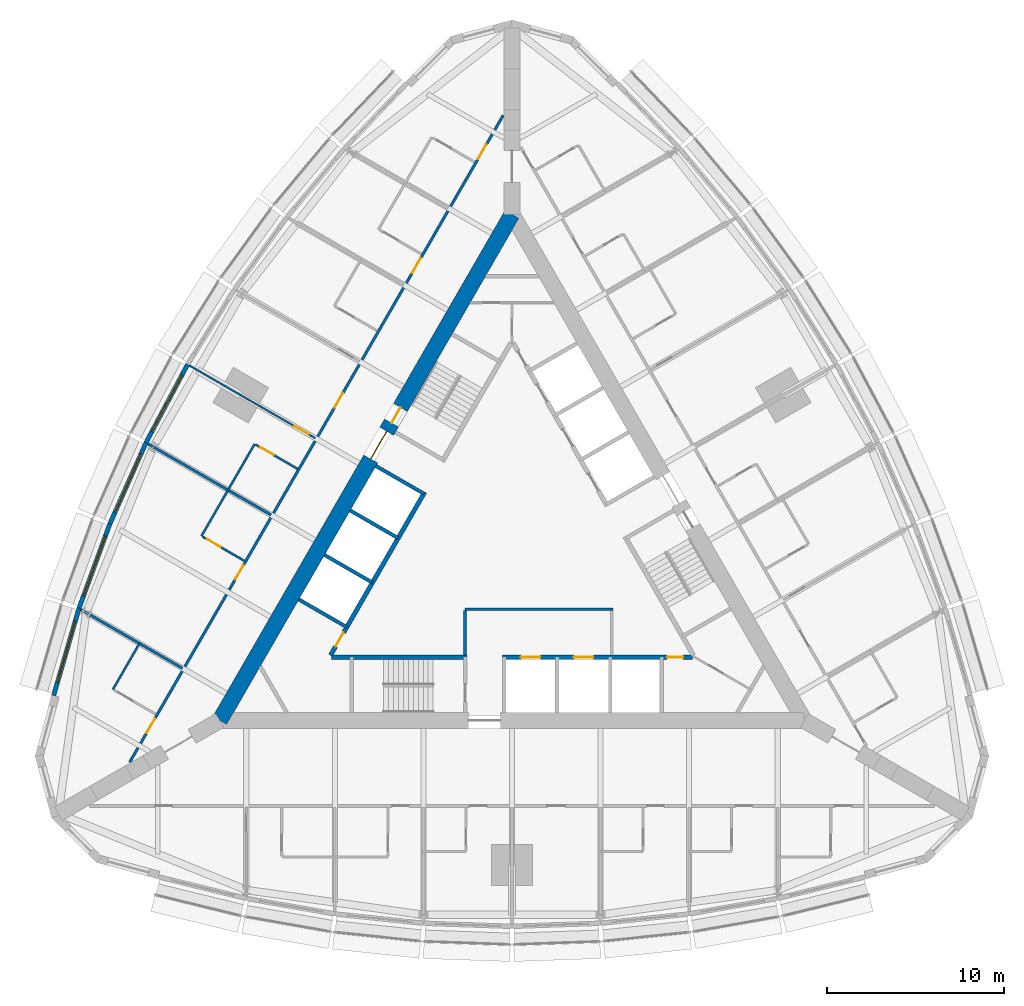
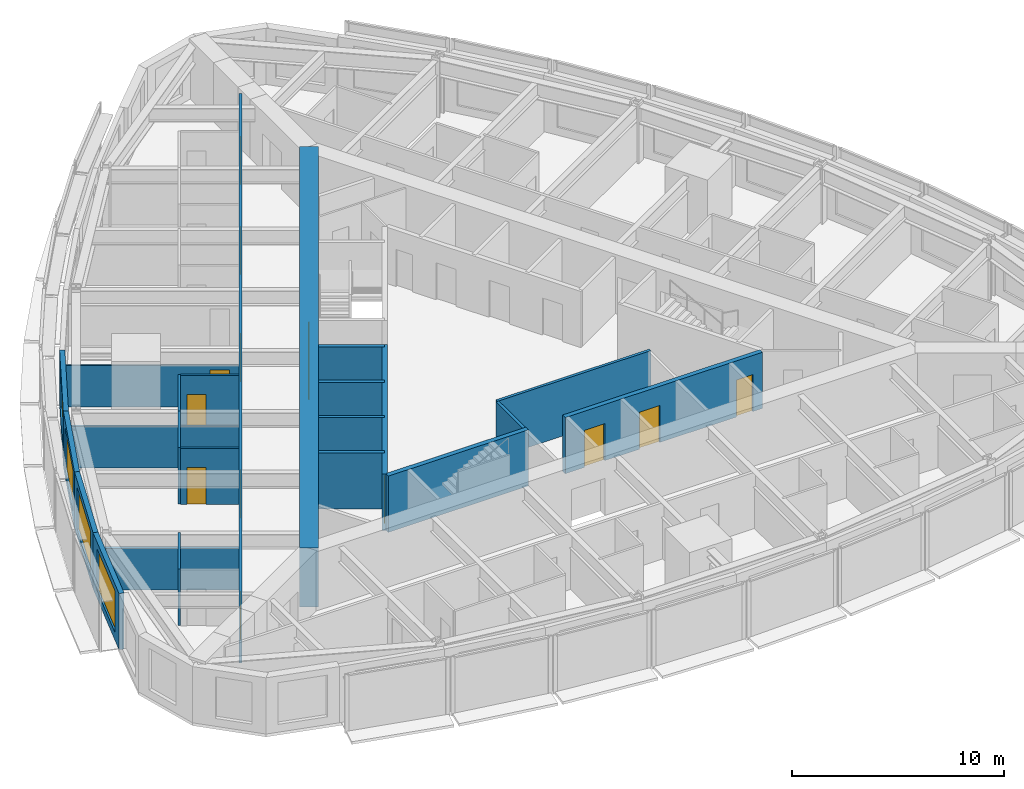
# One storey, part 9 of 14: 23 walls, 14 doors, 4 windows, 18 openings.
"""IFC4 building model written with IfcOpenShell, lengths in metres."""

import ifcopenshell
import ifcopenshell.guid

model = None  # the IFC model being written
_history = None  # IfcOwnerHistory: only IFC2X3 demands one
_inside = {}  # id of a spatial element -> (the spatial element, [elements in it])
_under = {}  # id of a project, library or spatial element -> (it, [spatial elements below it])
_declared = {}  # id of a project -> (the project, [libraries it declares])
_typed = {}  # id of a type object -> (the type object, [elements of that type])
_made_of = {}  # id of a material, layer set ... -> (it, [elements and type objects made of it])


def new_model(schema):
    """Start an empty IFC model of exactly this schema.

    Asked for "IFC4X3", IfcOpenShell would pick the latest addendum, in which some entities
    have other attributes; the version numbers below select the first issue.
    IFC2X3 requires an IfcOwnerHistory on every rooted entity: one is made here for all.
    """
    global model, _history
    if schema == "IFC4X3":
        model = ifcopenshell.file(schema_version=(4, 3, 0, 0))
    else:
        model = ifcopenshell.file(schema=schema)
    _inside.clear()
    _under.clear()
    _declared.clear()
    _typed.clear()
    _made_of.clear()
    _history = None
    if model.schema == "IFC2X3":
        org = make("IfcOrganization", Name="unknown")
        user = make(
            "IfcPersonAndOrganization",
            ThePerson=make("IfcPerson", FamilyName="unknown"),
            TheOrganization=org,
        )
        app = make(
            "IfcApplication",
            ApplicationDeveloper=org,
            Version="unknown",
            ApplicationFullName="unknown",
            ApplicationIdentifier="unknown",
        )
        _history = make(
            "IfcOwnerHistory",
            OwningUser=user,
            OwningApplication=app,
            ChangeAction="ADDED",
            CreationDate=0,
        )
    return model


def make(cls, **values):
    """One entity of the class cls with the attributes given. An attribute that is None is left unset."""
    return model.create_entity(
        cls, **{name: value for name, value in values.items() if value is not None}
    )


def rooted(cls, **values):
    """An entity with a GlobalId (a new one), such as an element, a storey or a relation."""
    return make(cls, GlobalId=ifcopenshell.guid.new(), OwnerHistory=_history, **values)


def si_unit(unit_type, name, prefix=None):
    """IfcSIUnit, for example si_unit("LENGTHUNIT", "METRE", prefix="MILLI")."""
    return make("IfcSIUnit", UnitType=unit_type, Prefix=prefix, Name=name)


def assignment(units):
    """IfcUnitAssignment: the units of a project."""
    return None if units is None else make("IfcUnitAssignment", Units=units)


def point(xyz):
    """IfcCartesianPoint."""
    return None if xyz is None else make("IfcCartesianPoint", Coordinates=xyz)


def direction(xyz):
    """IfcDirection."""
    return None if xyz is None else make("IfcDirection", DirectionRatios=xyz)


def frame(location, z_axis=None, x_axis=None):
    """IfcAxis2Placement3D, a coordinate frame: its origin and axes. An axis left out is left unset."""
    return make(
        "IfcAxis2Placement3D",
        Location=point(location),
        Axis=direction(z_axis),
        RefDirection=direction(x_axis),
    )


def frame_2d(location, x_axis=None):
    """IfcAxis2Placement2D, a coordinate frame in the plane: its origin and x axis."""
    return make(
        "IfcAxis2Placement2D", Location=point(location), RefDirection=direction(x_axis)
    )


def origin():
    """The frame at (0, 0, 0) with its axes left unset."""
    return frame((0.0, 0.0, 0.0))


def place(relative_to, where):
    """IfcLocalPlacement: puts the frame where relative to a parent placement (None: the world)."""
    return make(
        "IfcLocalPlacement", PlacementRelTo=relative_to, RelativePlacement=where
    )


def context(
    kind, dimensions, precision=None, world=None, true_north=None, identifier=None
):
    """IfcGeometricRepresentationContext, for example the 3D "Model" context."""
    return make(
        "IfcGeometricRepresentationContext",
        ContextIdentifier=identifier,
        ContextType=kind,
        CoordinateSpaceDimension=dimensions,
        Precision=precision,
        WorldCoordinateSystem=world,
        TrueNorth=true_north,
    )


def subcontext(parent, identifier, kind, view, scale=None):
    """IfcGeometricRepresentationSubContext, for example "Body" below "Model"."""
    return make(
        "IfcGeometricRepresentationSubContext",
        ContextIdentifier=identifier,
        ContextType=kind,
        ParentContext=parent,
        TargetScale=scale,
        TargetView=view,
    )


def project(units=None, contexts=None):
    """IfcProject with its units and contexts."""
    return rooted(
        "IfcProject",
        Name="project",
        RepresentationContexts=contexts,
        UnitsInContext=assignment(units),
    )


def spatial(cls, under=None, at=None, **own):
    """A site, building, storey or space (cls), placed at a placement, below another one or the project."""
    s = rooted(cls, ObjectPlacement=at, **own)
    if under is not None:
        _under.setdefault(under.id(), (under, []))[1].append(s)
    return s


def profile(cls, at=None, kind="AREA", **sizes):
    """A parametric profile (cls). Its sizes go by their IFC names, for example OverallWidth=200.0."""
    return make(cls, ProfileType=kind, Position=at, **sizes)


def rectangle(**sizes):
    """IfcRectangleProfileDef."""
    return profile("IfcRectangleProfileDef", **sizes)


def extrude(swept, where, along, depth):
    """IfcExtrudedAreaSolid: the profile swept, set in the frame where, extruded along a direction by depth."""
    return make(
        "IfcExtrudedAreaSolid",
        SweptArea=swept,
        Position=where,
        ExtrudedDirection=direction(along),
        Depth=depth,
    )


def shape(context_of_items, identifier, shape_type, items):
    """IfcShapeRepresentation: the items that make up one representation, for example the "Body"."""
    return make(
        "IfcShapeRepresentation",
        ContextOfItems=context_of_items,
        RepresentationIdentifier=identifier,
        RepresentationType=shape_type,
        Items=items,
    )


def material(Name=None, Category=None):
    """IfcMaterial."""
    return make("IfcMaterial", Name=Name, Category=Category)


def layer(
    of_material, thickness, ventilated=None, Name=None, Category=None, Priority=None
):
    """IfcMaterialLayer: one layer of a wall or slab, of a material (None: an air gap)."""
    return make(
        "IfcMaterialLayer",
        Material=of_material,
        LayerThickness=thickness,
        IsVentilated=ventilated,
        Name=Name,
        Category=Category,
        Priority=Priority,
    )


def layer_set(layers, Name=None):
    """IfcMaterialLayerSet."""
    return make("IfcMaterialLayerSet", MaterialLayers=layers, LayerSetName=Name)


def made_of(thing, what):
    """Note that an element or type object is made of a material, layer set ...; save() writes the relation."""
    if what is not None:
        _made_of.setdefault(what.id(), (what, []))[1].append(thing)
    return thing


def type_object(cls, material=None, **own):
    """A type object (cls), such as IfcWallType, which elements share."""
    return made_of(rooted(cls, **own), material)


def element(
    cls,
    number,
    at=None,
    inside=None,
    cuts=None,
    type_object=None,
    material=None,
    context=None,
    identifier="Body",
    shape_type=None,
    held_by="IfcProductDefinitionShape",
    body=None,
    shapes=None,
    **own,
):
    """One element of the class cls, such as IfcWall. Its Tag is "e" and its number.

    at: its placement. inside: the storey or other place that contains it. cuts: it is an
    opening in that element (IfcRelVoidsElement). A single representation is given by context,
    identifier, shape_type and body (its items); several are given by shapes. held_by: the class
    of the entity that holds the representations. save() writes the other relations.
    """
    e = rooted(cls, Tag="e%d" % number, ObjectPlacement=at, **own)
    if body is not None:
        shapes = [shape(context, identifier, shape_type, body)]
    if shapes is not None:
        e.Representation = make(held_by, Representations=shapes)
    if inside is not None:
        _inside.setdefault(inside.id(), (inside, []))[1].append(e)
    if cuts is not None:
        rooted(
            "IfcRelVoidsElement", RelatingBuildingElement=cuts, RelatedOpeningElement=e
        )
    if type_object is not None:
        _typed.setdefault(type_object.id(), (type_object, []))[1].append(e)
    return made_of(e, material)


def fill(opening, filler):
    """IfcRelFillsElement: the door or window that sits in an opening."""
    return rooted(
        "IfcRelFillsElement",
        RelatingOpeningElement=opening,
        RelatedBuildingElement=filler,
    )


def aggregate(whole, parts):
    """IfcRelAggregates: a whole, such as a stair, and the parts it consists of."""
    return rooted("IfcRelAggregates", RelatingObject=whole, RelatedObjects=parts)


def save(model, path):
    """Write the relations noted so far, then the file.

    IfcRelAggregates (storeys below a building ...), IfcRelContainedInSpatialStructure (elements
    in a storey), IfcRelDefinesByType, IfcRelAssociatesMaterial and IfcRelDeclares: one each for
    every whole, place, type object, material and project.
    """
    for whole, parts in _under.values():
        aggregate(whole, parts)
    for where, things in _inside.values():
        rooted(
            "IfcRelContainedInSpatialStructure",
            RelatedElements=things,
            RelatingStructure=where,
        )
    for kind, things in _typed.values():
        rooted("IfcRelDefinesByType", RelatedObjects=things, RelatingType=kind)
    for what, things in _made_of.values():
        rooted("IfcRelAssociatesMaterial", RelatedObjects=things, RelatingMaterial=what)
    for by, libraries in _declared.values():
        rooted("IfcRelDeclares", RelatingContext=by, RelatedDefinitions=libraries)
    model.write(path)


model = new_model("IFC4")

# Units and contexts
model_context = context("Model", 3, precision=1e-05, world=origin(), true_north=direction((0.0, 1.0)))
body_context = subcontext(model_context, "Body", "Model", "MODEL_VIEW")
ifc_project = project(units=[si_unit("LENGTHUNIT", "METRE"), si_unit("AREAUNIT", "SQUARE_METRE"), si_unit("VOLUMEUNIT", "CUBIC_METRE"), si_unit("PLANEANGLEUNIT", "RADIAN"), si_unit("MASSUNIT", "GRAM", prefix="KILO")], contexts=[model_context])

# Site, building, storey
site_placement = place(None, origin())
site = spatial("IfcSite", under=ifc_project, at=site_placement, CompositionType="ELEMENT")
building_placement = place(site_placement, origin())
building = spatial("IfcBuilding", under=site, at=building_placement, Name="Trikona Tower", CompositionType="ELEMENT")
storey_placement = place(building_placement, frame((0.0, 0.0, 152.10009765625)))
storey = spatial("IfcBuildingStorey", under=building, at=storey_placement, Name="L40", CompositionType="ELEMENT", Elevation=152.10009765625)

# Wall
ifc_material_1 = material(Name="Metal stud and cement board", Category="gypsum")
ifc_layer_1 = layer(ifc_material_1, 0.1201171875)
ifc_layer_set_1 = layer_set([ifc_layer_1], Name="Bathroom wall 120")
wall_type_1 = type_object("IfcWallType", Name="Bathroom wall 120", PredefinedType="PLUMBINGWALL", material=ifc_layer_set_1)
wall_1_placement = place(storey_placement, frame((-14.53271484375, 6.0810546875, 0.0), z_axis=(0.0, 0.0, 1.0), x_axis=(-0.499990139034, -0.866031096941, 0.0)))
element("IfcWall", 1, at=wall_1_placement, inside=storey, type_object=wall_type_1, Name="Bathroom wall 4015.2", PredefinedType="PLUMBINGWALL", context=body_context, shape_type="SweptSolid", body=[
    extrude(rectangle(XDim=3.0, YDim=0.1201171875, at=frame_2d((1.5, 0.0))), origin(), (0.0, 0.0, 1.0), 3.23486328125),
])

# Wall, opening, door
wall_2_placement = place(storey_placement, frame((-12.10791015625, 4.68115234375, 0.0), z_axis=(0.0, 0.0, 1.0), x_axis=(-0.866035715982, 0.499982138324, 0.0)))
wall_2 = element("IfcWall", 2, at=wall_2_placement, inside=storey, type_object=wall_type_1, Name="Bathroom wall 4015.2", PredefinedType="PLUMBINGWALL", context=body_context, shape_type="SweptSolid", body=[
    extrude(rectangle(XDim=2.73974609375, YDim=0.1201171875, at=frame_2d((1.369873046875, 0.0))), origin(), (0.0, 0.0, 1.0), 3.23486328125),
])
opening_1_placement = place(wall_2_placement, frame((1.550048828125, 0.0, 0.0)))
opening_1 = element("IfcOpeningElement", 3, at=opening_1_placement, cuts=wall_2, Name="Opening D2", PredefinedType="OPENING", context=body_context, shape_type="SweptSolid", body=[
    extrude(rectangle(XDim=0.89990234375, YDim=2.1298828125, at=frame_2d((0.449951171875, 1.06494140625))), frame((0.0, 0.070068359375, 0.0), z_axis=(0.0, -1.0, 0.0), x_axis=(1.0, 0.0, 0.0)), (0.0, 0.0, 1.0), 0.14013671875),
])
ifc_material_2 = material(Name="Steel door frame with solid-core timber leaf", Category="steel")
door_type_1 = type_object("IfcDoorType", Name="Bathroom door 900x2130", OperationType="SLIDING_TO_LEFT", PredefinedType="DOOR", material=ifc_material_2)
door_1_placement = place(opening_1_placement, origin())
door_1 = element("IfcDoor", 4, at=door_1_placement, inside=storey, type_object=door_type_1, Name="Bathroom door 4015.2", OperationType="SLIDING_TO_LEFT", OverallHeight=2.1298828125, OverallWidth=0.89990234375, PredefinedType="DOOR", context=body_context, shape_type="SweptSolid", body=[
    extrude(rectangle(XDim=0.89990234375, YDim=2.1298828125, at=frame_2d((0.449951171875, 1.06494140625))), frame((0.0, 0.02490234375, 0.0), z_axis=(0.0, -1.0, 0.0), x_axis=(1.0, 0.0, 0.0)), (0.0, 0.0, 1.0), 0.050048828125),
])
fill(opening_1, door_1)

# Wall
wall_3_placement = place(storey_placement, frame((-16.03271484375, 3.48291015625, 0.0), z_axis=(0.0, 0.0, 1.0), x_axis=(-0.50002537861, -0.866010750942, 0.0)))
element("IfcWall", 5, at=wall_3_placement, inside=storey, type_object=wall_type_1, Name="Bathroom wall 4016", PredefinedType="PLUMBINGWALL", context=body_context, shape_type="SweptSolid", body=[
    extrude(rectangle(XDim=2.999755859375, YDim=0.1201171875, at=frame_2d((1.5, 0.0))), origin(), (0.0, 0.0, 1.0), 3.23486328125),
])

# Wall, opening, door
wall_4_placement = place(storey_placement, frame((-15.10791015625, -0.51513671875, 0.0), z_axis=(0.0, 0.0, 1.0), x_axis=(-0.865997131366, 0.500048966069, 0.0)))
wall_4 = element("IfcWall", 6, at=wall_4_placement, inside=storey, type_object=wall_type_1, Name="Bathroom wall 4016", PredefinedType="PLUMBINGWALL", context=body_context, shape_type="SweptSolid", body=[
    extrude(rectangle(XDim=2.739990234375, YDim=0.1201171875, at=frame_2d((1.3701171875, 0.0))), origin(), (0.0, 0.0, 1.0), 3.23486328125),
])
opening_2_placement = place(wall_4_placement, frame((1.550048828125, 0.0, 0.0)))
opening_2 = element("IfcOpeningElement", 7, at=opening_2_placement, cuts=wall_4, Name="Opening D2", PredefinedType="OPENING", context=body_context, shape_type="SweptSolid", body=[
    extrude(rectangle(XDim=0.89990234375, YDim=2.1298828125, at=frame_2d((0.449951171875, 1.06494140625))), frame((0.0, 0.070068359375, 0.0), z_axis=(0.0, -1.0, 0.0), x_axis=(1.0, 0.0, 0.0)), (0.0, 0.0, 1.0), 0.14013671875),
])
door_2_placement = place(opening_2_placement, origin())
door_2 = element("IfcDoor", 8, at=door_2_placement, inside=storey, type_object=door_type_1, Name="Bathroom door 4016", OperationType="SLIDING_TO_LEFT", OverallHeight=2.1298828125, OverallWidth=0.89990234375, PredefinedType="DOOR", context=body_context, shape_type="SweptSolid", body=[
    extrude(rectangle(XDim=0.89990234375, YDim=2.1298828125, at=frame_2d((0.449951171875, 1.06494140625))), frame((0.0, 0.02490234375, 0.0), z_axis=(0.0, -1.0, 0.0), x_axis=(1.0, 0.0, 0.0)), (0.0, 0.0, 1.0), 0.050048828125),
])
fill(opening_2, door_2)

# Wall
wall_5_placement = place(storey_placement, frame((-21.03271484375, -5.17724609375, 0.0), z_axis=(0.0, 0.0, 1.0), x_axis=(-0.499990139034, -0.866031096941, 0.0)))
element("IfcWall", 9, at=wall_5_placement, inside=storey, type_object=wall_type_1, Name="Bathroom wall 4017", PredefinedType="PLUMBINGWALL", context=body_context, shape_type="SweptSolid", body=[
    extrude(rectangle(XDim=3.0, YDim=0.1201171875, at=frame_2d((1.5, 0.0))), origin(), (0.0, 0.0, 1.0), 3.23486328125),
])

# Wall, openings, doors
ifc_material_3 = material(Name="Concrete f'c 10000 psi", Category="concrete")
ifc_layer_2 = layer(ifc_material_3, 0.89990234375)
ifc_layer_set_2 = layer_set([ifc_layer_2], Name="Core wall 900")
wall_type_2 = type_object("IfcWallType", Name="Core wall 900", PredefinedType="SHEAR", material=ifc_layer_set_2)
wall_6_placement = place(storey_placement, frame((0.0, 19.052490234375, 0.0), z_axis=(0.0, 0.0, 1.0), x_axis=(-0.499999749417, -0.866025548458, 0.0)))
wall_6 = element("IfcWall", 10, at=wall_6_placement, inside=storey, type_object=wall_type_2, Name="Core wall C", PredefinedType="SHEAR", context=body_context, shape_type="SweptSolid", body=[
    extrude(rectangle(XDim=33.0, YDim=0.89990234375, at=frame_2d((16.5, 0.0))), origin(), (0.0, 0.0, 1.0), 3.39990234375),
])
opening_3_placement = place(wall_6_placement, frame((14.14990234375, 0.0, 0.0)))
opening_3 = element("IfcOpeningElement", 11, at=opening_3_placement, cuts=wall_6, Name="Opening D6", PredefinedType="OPENING", context=body_context, shape_type="SweptSolid", body=[
    extrude(rectangle(XDim=1.800048828125, YDim=2.1298828125, at=frame_2d((0.89990234375, 1.06494140625))), frame((0.0, 0.4599609375, 0.0), z_axis=(0.0, -1.0, 0.0), x_axis=(1.0, 0.0, 0.0)), (0.0, 0.0, 1.0), 0.919921875),
])
opening_4_placement = place(wall_6_placement, frame((12.60009765625, 0.0, 0.0)))
opening_4 = element("IfcOpeningElement", 12, at=opening_4_placement, cuts=wall_6, Name="Opening D5", PredefinedType="OPENING", context=body_context, shape_type="SweptSolid", body=[
    extrude(rectangle(XDim=1.0, YDim=2.1298828125, at=frame_2d((0.5, 1.06494140625))), frame((0.0, 0.4599609375, 0.0), z_axis=(0.0, -1.0, 0.0), x_axis=(1.0, 0.0, 0.0)), (0.0, 0.0, 1.0), 0.919921875),
])
ifc_material_4 = material(Name="Hollow metal door and frame", Category="steel")
door_type_2 = type_object("IfcDoorType", Name="Lobby door pair 1800x2130", OperationType="DOUBLE_DOOR_SINGLE_SWING", PredefinedType="DOOR", material=ifc_material_4)
door_3_placement = place(opening_3_placement, origin())
door_3 = element("IfcDoor", 13, at=door_3_placement, inside=storey, type_object=door_type_2, Name="Lift lobby door C", OperationType="DOUBLE_DOOR_SINGLE_SWING", OverallHeight=2.1298828125, OverallWidth=1.800048828125, PredefinedType="DOOR", context=body_context, shape_type="SweptSolid", body=[
    extrude(rectangle(XDim=1.800048828125, YDim=2.1298828125, at=frame_2d((0.89990234375, 1.06494140625))), frame((0.0, 0.02490234375, 0.0), z_axis=(0.0, -1.0, 0.0), x_axis=(1.0, 0.0, 0.0)), (0.0, 0.0, 1.0), 0.050048828125),
])
fill(opening_3, door_3)
ifc_material_5 = material(Name="Hollow metal door and frame", Category="steel")
door_type_3 = type_object("IfcDoorType", Name="Stair door 1000x2130", OperationType="SINGLE_SWING_LEFT", PredefinedType="DOOR", material=ifc_material_5)
door_4_placement = place(opening_4_placement, origin())
door_4 = element("IfcDoor", 14, at=door_4_placement, inside=storey, type_object=door_type_3, Name="Stair C door", OperationType="SINGLE_SWING_RIGHT", OverallHeight=2.1298828125, OverallWidth=1.0, PredefinedType="DOOR", context=body_context, shape_type="SweptSolid", body=[
    extrude(rectangle(XDim=1.0, YDim=2.1298828125, at=frame_2d((0.5, 1.06494140625))), frame((0.0, 0.02490234375, 0.0), z_axis=(0.0, -1.0, 0.0), x_axis=(1.0, 0.0, 0.0)), (0.0, 0.0, 1.0), 0.050048828125),
])
fill(opening_4, door_4)

ifc_material_6 = material(Name="Metal stud and gypsum board, 1-hour", Category="gypsum")
ifc_layer_3 = layer(ifc_material_6, 0.14990234375)
ifc_layer_set_3 = layer_set([ifc_layer_3], Name="Corridor wall 150")
wall_type_3 = type_object("IfcWallType", Name="Corridor wall 150", PredefinedType="PARTITIONING", material=ifc_layer_set_3)
wall_7_placement = place(storey_placement, frame((-0.5, 24.636474609375, 0.0), z_axis=(0.0, 0.0, 1.0), x_axis=(-0.500001915564, -0.86602429783, 0.0)))
wall_7 = element("IfcWall", 15, at=wall_7_placement, inside=storey, type_object=wall_type_3, Name="Corridor wall L40-3", PredefinedType="PARTITIONING", context=body_context, shape_type="SweptSolid", body=[
    extrude(rectangle(XDim=42.171630859375, YDim=0.14990234375, at=frame_2d((21.0859375, 0.0))), origin(), (0.0, 0.0, 1.0), 3.23486328125),
])
opening_5_placement = place(wall_7_placement, frame((1.910888671875, 0.0, 0.0)))
opening_5 = element("IfcOpeningElement", 16, at=opening_5_placement, cuts=wall_7, Name="Opening D1", PredefinedType="OPENING", context=body_context, shape_type="SweptSolid", body=[
    extrude(rectangle(XDim=0.949951171875, YDim=2.1298828125, at=frame_2d((0.47509765625, 1.06494140625))), frame((0.0, 0.0849609375, 0.0), z_axis=(0.0, -1.0, 0.0), x_axis=(1.0, 0.0, 0.0)), (0.0, 0.0, 1.0), 0.169921875),
])
opening_6_placement = place(wall_7_placement, frame((9.310791015625, 0.0, 0.0)))
opening_6 = element("IfcOpeningElement", 17, at=opening_6_placement, cuts=wall_7, Name="Opening D1", PredefinedType="OPENING", context=body_context, shape_type="SweptSolid", body=[
    extrude(rectangle(XDim=0.949951171875, YDim=2.1298828125, at=frame_2d((0.47509765625, 1.06494140625))), frame((0.0, 0.0849609375, 0.0), z_axis=(0.0, -1.0, 0.0), x_axis=(1.0, 0.0, 0.0)), (0.0, 0.0, 1.0), 0.169921875),
])
opening_7_placement = place(wall_7_placement, frame((18.11083984375, 0.0, 0.0)))
opening_7 = element("IfcOpeningElement", 18, at=opening_7_placement, cuts=wall_7, Name="Opening D1", PredefinedType="OPENING", context=body_context, shape_type="SweptSolid", body=[
    extrude(rectangle(XDim=0.949951171875, YDim=2.1298828125, at=frame_2d((0.47509765625, 1.06494140625))), frame((0.0, 0.0849609375, 0.0), z_axis=(0.0, -1.0, 0.0), x_axis=(1.0, 0.0, 0.0)), (0.0, 0.0, 1.0), 0.169921875),
])
opening_8_placement = place(wall_7_placement, frame((29.310791015625, 0.0, 0.0)))
opening_8 = element("IfcOpeningElement", 19, at=opening_8_placement, cuts=wall_7, Name="Opening D1", PredefinedType="OPENING", context=body_context, shape_type="SweptSolid", body=[
    extrude(rectangle(XDim=0.949951171875, YDim=2.1298828125, at=frame_2d((0.47509765625, 1.06494140625))), frame((0.0, 0.0849609375, 0.0), z_axis=(0.0, -1.0, 0.0), x_axis=(1.0, 0.0, 0.0)), (0.0, 0.0, 1.0), 0.169921875),
])
opening_9_placement = place(wall_7_placement, frame((39.310791015625, 0.0, 0.0)))
opening_9 = element("IfcOpeningElement", 20, at=opening_9_placement, cuts=wall_7, Name="Opening D1", PredefinedType="OPENING", context=body_context, shape_type="SweptSolid", body=[
    extrude(rectangle(XDim=0.949951171875, YDim=2.1298828125, at=frame_2d((0.47509765625, 1.06494140625))), frame((0.0, 0.0849609375, 0.0), z_axis=(0.0, -1.0, 0.0), x_axis=(1.0, 0.0, 0.0)), (0.0, 0.0, 1.0), 0.169921875),
])
ifc_material_7 = material(Name="Steel door frame with solid-core timber leaf", Category="steel")
door_type_4 = type_object("IfcDoorType", Name="Guest room door 950x2130", OperationType="SINGLE_SWING_LEFT", PredefinedType="DOOR", material=ifc_material_7)
door_5_placement = place(opening_5_placement, origin())
door_5 = element("IfcDoor", 21, at=door_5_placement, inside=storey, type_object=door_type_4, Name="Room door 4013", OperationType="SINGLE_SWING_LEFT", OverallHeight=2.1298828125, OverallWidth=0.949951171875, PredefinedType="DOOR", context=body_context, shape_type="SweptSolid", body=[
    extrude(rectangle(XDim=0.949951171875, YDim=2.1298828125, at=frame_2d((0.47509765625, 1.06494140625))), frame((0.0, 0.02490234375, 0.0), z_axis=(0.0, -1.0, 0.0), x_axis=(1.0, 0.0, 0.0)), (0.0, 0.0, 1.0), 0.050048828125),
])
fill(opening_5, door_5)
door_6_placement = place(opening_6_placement, origin())
door_6 = element("IfcDoor", 22, at=door_6_placement, inside=storey, type_object=door_type_4, Name="Room door 4014", OperationType="SINGLE_SWING_RIGHT", OverallHeight=2.1298828125, OverallWidth=0.949951171875, PredefinedType="DOOR", context=body_context, shape_type="SweptSolid", body=[
    extrude(rectangle(XDim=0.949951171875, YDim=2.1298828125, at=frame_2d((0.47509765625, 1.06494140625))), frame((0.0, 0.02490234375, 0.0), z_axis=(0.0, -1.0, 0.0), x_axis=(1.0, 0.0, 0.0)), (0.0, 0.0, 1.0), 0.050048828125),
])
fill(opening_6, door_6)
door_7_placement = place(opening_7_placement, origin())
door_7 = element("IfcDoor", 23, at=door_7_placement, inside=storey, type_object=door_type_4, Name="Room door 4015", OperationType="SINGLE_SWING_LEFT", OverallHeight=2.1298828125, OverallWidth=0.949951171875, PredefinedType="DOOR", context=body_context, shape_type="SweptSolid", body=[
    extrude(rectangle(XDim=0.949951171875, YDim=2.1298828125, at=frame_2d((0.47509765625, 1.06494140625))), frame((0.0, 0.02490234375, 0.0), z_axis=(0.0, -1.0, 0.0), x_axis=(1.0, 0.0, 0.0)), (0.0, 0.0, 1.0), 0.050048828125),
])
fill(opening_7, door_7)
door_8_placement = place(opening_8_placement, origin())
door_8 = element("IfcDoor", 24, at=door_8_placement, inside=storey, type_object=door_type_4, Name="Room door 4016", OperationType="SINGLE_SWING_RIGHT", OverallHeight=2.1298828125, OverallWidth=0.949951171875, PredefinedType="DOOR", context=body_context, shape_type="SweptSolid", body=[
    extrude(rectangle(XDim=0.949951171875, YDim=2.1298828125, at=frame_2d((0.47509765625, 1.06494140625))), frame((0.0, 0.02490234375, 0.0), z_axis=(0.0, -1.0, 0.0), x_axis=(1.0, 0.0, 0.0)), (0.0, 0.0, 1.0), 0.050048828125),
])
fill(opening_8, door_8)
door_9_placement = place(opening_9_placement, origin())
door_9 = element("IfcDoor", 25, at=door_9_placement, inside=storey, type_object=door_type_4, Name="Room door 4017", OperationType="SINGLE_SWING_RIGHT", OverallHeight=2.1298828125, OverallWidth=0.949951171875, PredefinedType="DOOR", context=body_context, shape_type="SweptSolid", body=[
    extrude(rectangle(XDim=0.949951171875, YDim=2.1298828125, at=frame_2d((0.47509765625, 1.06494140625))), frame((0.0, 0.02490234375, 0.0), z_axis=(0.0, -1.0, 0.0), x_axis=(1.0, 0.0, 0.0)), (0.0, 0.0, 1.0), 0.050048828125),
])
fill(opening_9, door_9)

# Wall
ifc_material_8 = material(Name="Concrete f'c 8000 psi", Category="concrete")
ifc_layer_4 = layer(ifc_material_8, 0.25)
ifc_layer_set_4 = layer_set([ifc_layer_4], Name="Hub wall 250")
wall_type_4 = type_object("IfcWallType", Name="Hub wall 250", PredefinedType="SOLIDWALL", material=ifc_layer_set_4)
wall_8_placement = place(storey_placement, frame((-10.182861328125, -5.951416015625, 0.0), z_axis=(0.0, 0.0, 1.0), x_axis=(1.0, 0.0, 0.0)))
element("IfcWall", 26, at=wall_8_placement, inside=storey, type_object=wall_type_4, Name="Lift lobby wall A1", PredefinedType="SOLIDWALL", context=body_context, shape_type="SweptSolid", body=[
    extrude(rectangle(XDim=7.6328125, YDim=0.25, at=frame_2d((3.81640625, 0.0))), origin(), (0.0, 0.0, 1.0), 3.23486328125),
])

# Wall, openings, doors
wall_9_placement = place(storey_placement, frame((-0.550048828125, -5.951416015625, 0.0), z_axis=(0.0, 0.0, 1.0), x_axis=(1.0, 0.0, 0.0)))
wall_9 = element("IfcWall", 27, at=wall_9_placement, inside=storey, type_object=wall_type_4, Name="Lift lobby wall A2", PredefinedType="SOLIDWALL", context=body_context, shape_type="SweptSolid", body=[
    extrude(rectangle(XDim=10.73291015625, YDim=0.25, at=frame_2d((5.366455078125, 0.0))), origin(), (0.0, 0.0, 1.0), 3.23486328125),
])
opening_10_placement = place(wall_9_placement, frame((9.31396484375, 0.0, 0.0)))
opening_10 = element("IfcOpeningElement", 28, at=opening_10_placement, cuts=wall_9, Name="Opening D14", PredefinedType="OPENING", context=body_context, shape_type="SweptSolid", body=[
    extrude(rectangle(XDim=0.89990234375, YDim=2.1298828125, at=frame_2d((0.449951171875, 1.06494140625))), frame((0.0, 0.135009765625, 0.0), z_axis=(0.0, -1.0, 0.0), x_axis=(1.0, 0.0, 0.0)), (0.0, 0.0, 1.0), 0.27001953125),
])
opening_11_placement = place(wall_9_placement, frame((1.050048828125, 0.0, 0.0)))
opening_11 = element("IfcOpeningElement", 29, at=opening_11_placement, cuts=wall_9, Name="Opening LD", PredefinedType="OPENING", context=body_context, shape_type="SweptSolid", body=[
    extrude(rectangle(XDim=1.10009765625, YDim=2.1298828125, at=frame_2d((0.550048828125, 1.06494140625))), frame((0.0, 0.135009765625, 0.0), z_axis=(0.0, -1.0, 0.0), x_axis=(1.0, 0.0, 0.0)), (0.0, 0.0, 1.0), 0.27001953125),
])
opening_12_placement = place(wall_9_placement, frame((4.050048828125, 0.0, 0.0)))
opening_12 = element("IfcOpeningElement", 30, at=opening_12_placement, cuts=wall_9, Name="Opening LD", PredefinedType="OPENING", context=body_context, shape_type="SweptSolid", body=[
    extrude(rectangle(XDim=1.10009765625, YDim=2.1298828125, at=frame_2d((0.550048828125, 1.06494140625))), frame((0.0, 0.135009765625, 0.0), z_axis=(0.0, -1.0, 0.0), x_axis=(1.0, 0.0, 0.0)), (0.0, 0.0, 1.0), 0.27001953125),
])
ifc_material_9 = material(Name="Stainless steel lift landing door", Category="steel")
door_type_5 = type_object("IfcDoorType", Name="Lift landing door 1100x2130", OperationType="DOUBLE_DOOR_SLIDING", PredefinedType="USERDEFINED", material=ifc_material_9)
door_10_placement = place(opening_11_placement, origin())
door_10 = element("IfcDoor", 31, at=door_10_placement, inside=storey, type_object=door_type_5, Name="Lift landing door FF1", ObjectType="LIFT LANDING DOOR", OperationType="DOUBLE_DOOR_SLIDING", OverallHeight=2.1298828125, OverallWidth=1.10009765625, PredefinedType="USERDEFINED", context=body_context, shape_type="SweptSolid", body=[
    extrude(rectangle(XDim=1.10009765625, YDim=2.1298828125, at=frame_2d((0.550048828125, 1.06494140625))), frame((0.0, 0.02490234375, 0.0), z_axis=(0.0, -1.0, 0.0), x_axis=(1.0, 0.0, 0.0)), (0.0, 0.0, 1.0), 0.050048828125),
])
fill(opening_11, door_10)
door_11_placement = place(opening_12_placement, origin())
door_11 = element("IfcDoor", 32, at=door_11_placement, inside=storey, type_object=door_type_5, Name="Lift landing door FF2", ObjectType="LIFT LANDING DOOR", OperationType="DOUBLE_DOOR_SLIDING", OverallHeight=2.1298828125, OverallWidth=1.10009765625, PredefinedType="USERDEFINED", context=body_context, shape_type="SweptSolid", body=[
    extrude(rectangle(XDim=1.10009765625, YDim=2.1298828125, at=frame_2d((0.550048828125, 1.06494140625))), frame((0.0, 0.02490234375, 0.0), z_axis=(0.0, -1.0, 0.0), x_axis=(1.0, 0.0, 0.0)), (0.0, 0.0, 1.0), 0.050048828125),
])
fill(opening_12, door_11)
ifc_material_10 = material(Name="Hollow metal door and frame", Category="steel")
door_type_6 = type_object("IfcDoorType", Name="Service room door 900x2130", OperationType="SINGLE_SWING_LEFT", PredefinedType="DOOR", material=ifc_material_10)
door_12_placement = place(opening_10_placement, origin())
door_12 = element("IfcDoor", 33, at=door_12_placement, inside=storey, type_object=door_type_6, Name="Door Housekeeping store HKS", OperationType="SINGLE_SWING_RIGHT", OverallHeight=2.1298828125, OverallWidth=0.89990234375, PredefinedType="DOOR", context=body_context, shape_type="SweptSolid", body=[
    extrude(rectangle(XDim=0.89990234375, YDim=2.1298828125, at=frame_2d((0.449951171875, 1.06494140625))), frame((0.0, 0.02490234375, 0.0), z_axis=(0.0, -1.0, 0.0), x_axis=(1.0, 0.0, 0.0)), (0.0, 0.0, 1.0), 0.050048828125),
])
fill(opening_10, door_12)

# Wall, opening, door
wall_10_placement = place(storey_placement, frame((-4.928955078125, 3.365478515625, 0.0), z_axis=(0.0, 0.0, 1.0), x_axis=(-0.499991433582, -0.866030349552, 0.0)))
wall_10 = element("IfcWall", 34, at=wall_10_placement, inside=storey, type_object=wall_type_4, Name="Lift lobby wall C2", PredefinedType="SOLIDWALL", context=body_context, shape_type="SweptSolid", body=[
    extrude(rectangle(XDim=10.633056640625, YDim=0.25, at=frame_2d((5.31640625, 0.0))), origin(), (0.0, 0.0, 1.0), 3.23486328125),
])
opening_13_placement = place(wall_10_placement, frame((9.1640625, 0.0, 0.0)))
opening_13 = element("IfcOpeningElement", 35, at=opening_13_placement, cuts=wall_10, Name="Opening D14", PredefinedType="OPENING", context=body_context, shape_type="SweptSolid", body=[
    extrude(rectangle(XDim=0.89990234375, YDim=2.1298828125, at=frame_2d((0.449951171875, 1.06494140625))), frame((0.0, 0.135009765625, 0.0), z_axis=(0.0, -1.0, 0.0), x_axis=(1.0, 0.0, 0.0)), (0.0, 0.0, 1.0), 0.27001953125),
])
door_13_placement = place(opening_13_placement, origin())
door_13 = element("IfcDoor", 36, at=door_13_placement, inside=storey, type_object=door_type_6, Name="Door Ice and vending ICE", OperationType="SINGLE_SWING_RIGHT", OverallHeight=2.1298828125, OverallWidth=0.89990234375, PredefinedType="DOOR", context=body_context, shape_type="SweptSolid", body=[
    extrude(rectangle(XDim=0.89990234375, YDim=2.1298828125, at=frame_2d((0.449951171875, 1.06494140625))), frame((0.0, 0.02490234375, 0.0), z_axis=(0.0, -1.0, 0.0), x_axis=(1.0, 0.0, 0.0)), (0.0, 0.0, 1.0), 0.050048828125),
])
fill(opening_13, door_13)

# Wall, opening, window
ifc_material_11 = material(Name="Insulated precast concrete spandrel panel", Category="concrete")
ifc_layer_5 = layer(ifc_material_11, 0.25)
ifc_layer_set_5 = layer_set([ifc_layer_5], Name="Inner skin wall 250")
wall_type_5 = type_object("IfcWallType", Name="Inner skin wall 250", PredefinedType="STANDARD", material=ifc_layer_set_5)
wall_11_placement = place(storey_placement, frame((-18.314453125, 10.578857421875, 0.0), z_axis=(0.0, 0.0, 1.0), x_axis=(-0.469404966864, -0.882982999317, 0.0)))
wall_11 = element("IfcWall", 37, at=wall_11_placement, inside=storey, type_object=wall_type_5, Name="External wall L40-28", PredefinedType="STANDARD", context=body_context, shape_type="SweptSolid", body=[
    extrude(rectangle(XDim=5.0029296875, YDim=0.25, at=frame_2d((2.50146484375, 0.0))), origin(), (0.0, 0.0, 1.0), 3.23486328125),
])
opening_14_placement = place(wall_11_placement, frame((0.701416015625, 0.0, 0.449951171875)))
opening_14 = element("IfcOpeningElement", 38, at=opening_14_placement, cuts=wall_11, Name="Opening W3624", PredefinedType="OPENING", context=body_context, shape_type="SweptSolid", body=[
    extrude(rectangle(XDim=3.60009765625, YDim=2.39990234375, at=frame_2d((1.800048828125, 1.199951171875))), frame((0.0, 0.135009765625, 0.0), z_axis=(0.0, -1.0, 0.0), x_axis=(1.0, 0.0, 0.0)), (0.0, 0.0, 1.0), 0.27001953125),
])
ifc_material_12 = material(Name="Aluminium-framed double glazing", Category="aluminium")
window_type = type_object("IfcWindowType", Name="Window 3600x2400", PartitioningType="SINGLE_PANEL", PredefinedType="WINDOW", material=ifc_material_12)
window_1_placement = place(opening_14_placement, origin())
window_1 = element("IfcWindow", 39, at=window_1_placement, inside=storey, type_object=window_type, Name="Window 4015.2", OverallHeight=2.39990234375, OverallWidth=3.60009765625, PartitioningType="SINGLE_PANEL", PredefinedType="WINDOW", context=body_context, shape_type="SweptSolid", body=[
    extrude(rectangle(XDim=3.60009765625, YDim=2.39990234375, at=frame_2d((1.800048828125, 1.199951171875))), frame((0.0, 0.030029296875, 0.0), z_axis=(0.0, -1.0, 0.0), x_axis=(1.0, 0.0, 0.0)), (0.0, 0.0, 1.0), 0.06005859375),
])
fill(opening_14, window_1)

wall_12_placement = place(storey_placement, frame((-20.6591796875, 6.169189453125, 0.0), z_axis=(0.0, 0.0, 1.0), x_axis=(-0.406832200364, -0.913502906808, 0.0)))
wall_12 = element("IfcWall", 40, at=wall_12_placement, inside=storey, type_object=wall_type_5, Name="External wall L40-29", PredefinedType="STANDARD", context=body_context, shape_type="SweptSolid", body=[
    extrude(rectangle(XDim=5.027587890625, YDim=0.25, at=frame_2d((2.513671875, 0.0))), origin(), (0.0, 0.0, 1.0), 3.23486328125),
])
opening_15_placement = place(wall_12_placement, frame((0.713623046875, 0.0, 0.449951171875)))
opening_15 = element("IfcOpeningElement", 41, at=opening_15_placement, cuts=wall_12, Name="Opening W3624", PredefinedType="OPENING", context=body_context, shape_type="SweptSolid", body=[
    extrude(rectangle(XDim=3.60009765625, YDim=2.39990234375, at=frame_2d((1.800048828125, 1.199951171875))), frame((0.0, 0.135009765625, 0.0), z_axis=(0.0, -1.0, 0.0), x_axis=(1.0, 0.0, 0.0)), (0.0, 0.0, 1.0), 0.27001953125),
])
window_2_placement = place(opening_15_placement, origin())
window_2 = element("IfcWindow", 42, at=window_2_placement, inside=storey, type_object=window_type, Name="Window 4016", OverallHeight=2.39990234375, OverallWidth=3.60009765625, PartitioningType="SINGLE_PANEL", PredefinedType="WINDOW", context=body_context, shape_type="SweptSolid", body=[
    extrude(rectangle(XDim=3.60009765625, YDim=2.39990234375, at=frame_2d((1.800048828125, 1.199951171875))), frame((0.0, 0.030029296875, 0.0), z_axis=(0.0, -1.0, 0.0), x_axis=(1.0, 0.0, 0.0)), (0.0, 0.0, 1.0), 0.06005859375),
])
fill(opening_15, window_2)

wall_13_placement = place(storey_placement, frame((-22.701416015625, 1.58447265625, 0.0), z_axis=(0.0, 0.0, 1.0), x_axis=(-0.343225593282, -0.939252996863, 0.0)))
wall_13 = element("IfcWall", 43, at=wall_13_placement, inside=storey, type_object=wall_type_5, Name="External wall L40-30", PredefinedType="STANDARD", context=body_context, shape_type="SweptSolid", body=[
    extrude(rectangle(XDim=5.075927734375, YDim=0.25, at=frame_2d((2.5380859375, 0.0))), origin(), (0.0, 0.0, 1.0), 3.23486328125),
])
opening_16_placement = place(wall_13_placement, frame((0.738037109375, 0.0, 0.449951171875)))
opening_16 = element("IfcOpeningElement", 44, at=opening_16_placement, cuts=wall_13, Name="Opening W3624", PredefinedType="OPENING", context=body_context, shape_type="SweptSolid", body=[
    extrude(rectangle(XDim=3.60009765625, YDim=2.39990234375, at=frame_2d((1.800048828125, 1.199951171875))), frame((0.0, 0.135009765625, 0.0), z_axis=(0.0, -1.0, 0.0), x_axis=(1.0, 0.0, 0.0)), (0.0, 0.0, 1.0), 0.27001953125),
])
window_3_placement = place(opening_16_placement, origin())
window_3 = element("IfcWindow", 45, at=window_3_placement, inside=storey, type_object=window_type, Name="Window 4016", OverallHeight=2.39990234375, OverallWidth=3.60009765625, PartitioningType="SINGLE_PANEL", PredefinedType="WINDOW", context=body_context, shape_type="SweptSolid", body=[
    extrude(rectangle(XDim=3.60009765625, YDim=2.39990234375, at=frame_2d((1.800048828125, 1.199951171875))), frame((0.0, 0.030029296875, 0.0), z_axis=(0.0, -1.0, 0.0), x_axis=(1.0, 0.0, 0.0)), (0.0, 0.0, 1.0), 0.06005859375),
])
fill(opening_16, window_3)

wall_14_placement = place(storey_placement, frame((-24.44091796875, -3.17529296875, 0.0), z_axis=(0.0, 0.0, 1.0), x_axis=(-0.279528287117, -0.960137457191, 0.0)))
wall_14 = element("IfcWall", 46, at=wall_14_placement, inside=storey, type_object=wall_type_5, Name="External wall L40-31", PredefinedType="STANDARD", context=body_context, shape_type="SweptSolid", body=[
    extrude(rectangle(XDim=5.14794921875, YDim=0.25, at=frame_2d((2.573974609375, 0.0))), origin(), (0.0, 0.0, 1.0), 3.23486328125),
])
opening_17_placement = place(wall_14_placement, frame((0.77392578125, 0.0, 0.449951171875)))
opening_17 = element("IfcOpeningElement", 47, at=opening_17_placement, cuts=wall_14, Name="Opening W3624", PredefinedType="OPENING", context=body_context, shape_type="SweptSolid", body=[
    extrude(rectangle(XDim=3.60009765625, YDim=2.39990234375, at=frame_2d((1.800048828125, 1.199951171875))), frame((0.0, 0.135009765625, 0.0), z_axis=(0.0, -1.0, 0.0), x_axis=(1.0, 0.0, 0.0)), (0.0, 0.0, 1.0), 0.27001953125),
])
window_4_placement = place(opening_17_placement, origin())
window_4 = element("IfcWindow", 48, at=window_4_placement, inside=storey, type_object=window_type, Name="Window 4017", OverallHeight=2.39990234375, OverallWidth=3.60009765625, PartitioningType="SINGLE_PANEL", PredefinedType="WINDOW", context=body_context, shape_type="SweptSolid", body=[
    extrude(rectangle(XDim=3.60009765625, YDim=2.39990234375, at=frame_2d((1.800048828125, 1.199951171875))), frame((0.0, 0.030029296875, 0.0), z_axis=(0.0, -1.0, 0.0), x_axis=(1.0, 0.0, 0.0)), (0.0, 0.0, 1.0), 0.06005859375),
])
fill(opening_17, window_4)

# Walls
ifc_material_13 = material(Name="Metal stud and gypsum board, 2-hour shaft wall", Category="gypsum")
ifc_layer_6 = layer(ifc_material_13, 0.14990234375)
ifc_layer_set_6 = layer_set([ifc_layer_6], Name="Lobby wall 150")
wall_type_6 = type_object("IfcWallType", Name="Lobby wall 150", PredefinedType="PARTITIONING", material=ifc_layer_set_6)
wall_15_placement = place(storey_placement, frame((-2.64990234375, -3.251220703125, 0.0), z_axis=(0.0, 0.0, 1.0), x_axis=(1.0, 0.0, 0.0)))
element("IfcWall", 49, at=wall_15_placement, inside=storey, type_object=wall_type_6, Name="Fire service lift lobby wall 1", PredefinedType="PARTITIONING", context=body_context, shape_type="SweptSolid", body=[
    extrude(rectangle(XDim=8.349853515625, YDim=0.14990234375, at=frame_2d((4.1748046875, 0.0))), origin(), (0.0, 0.0, 1.0), 3.23486328125),
])
wall_16_placement = place(storey_placement, frame((-2.64990234375, -5.826416015625, 0.0), z_axis=(0.0, 0.0, 1.0), x_axis=(0.0, 1.0, 0.0)))
element("IfcWall", 50, at=wall_16_placement, inside=storey, type_object=wall_type_6, Name="Fire service lift lobby wall 2", PredefinedType="PARTITIONING", context=body_context, shape_type="SweptSolid", body=[
    extrude(rectangle(XDim=2.5, YDim=0.14990234375, at=frame_2d((1.25, 0.0))), origin(), (0.0, 0.0, 1.0), 3.23486328125),
])
ifc_material_14 = material(Name="Metal stud and gypsum board, 1-hour acoustic", Category="gypsum")
ifc_layer_7 = layer(ifc_material_14, 0.14990234375)
ifc_layer_set_7 = layer_set([ifc_layer_7], Name="Party wall 150")
wall_type_7 = type_object("IfcWallType", Name="Party wall 150", PredefinedType="PARTITIONING", material=ifc_layer_set_7)
wall_17_placement = place(storey_placement, frame((-13.60791015625, 2.0830078125, 0.0), z_axis=(0.0, 0.0, 1.0), x_axis=(-0.866028486751, 0.499994660107, 0.0)))
element("IfcWall", 51, at=wall_17_placement, inside=storey, type_object=wall_type_7, Name="Partition L40 F3 u5", PredefinedType="PARTITIONING", context=body_context, shape_type="SweptSolid", body=[
    extrude(rectangle(XDim=8.0224609375, YDim=0.14990234375, at=frame_2d((4.01123046875, 0.0))), origin(), (0.0, 0.0, 1.0), 2.38916015625),
])
wall_18_placement = place(storey_placement, frame((-18.60791015625, -6.5771484375, 0.0), z_axis=(0.0, 0.0, 1.0), x_axis=(-0.866031967744, 0.499988630717, 0.0)))
element("IfcWall", 52, at=wall_18_placement, inside=storey, type_object=wall_type_7, Name="Partition L40 F3 u15", PredefinedType="PARTITIONING", context=body_context, shape_type="SweptSolid", body=[
    extrude(rectangle(XDim=6.616455078125, YDim=0.14990234375, at=frame_2d((3.30810546875, 0.0))), origin(), (0.0, 0.0, 1.0), 2.38916015625),
])
ifc_material_15 = material(Name="Concrete f'c 8000 psi", Category="concrete")
ifc_layer_8 = layer(ifc_material_15, 0.199951171875)
ifc_layer_set_8 = layer_set([ifc_layer_8], Name="Shaft wall 200")
wall_type_8 = type_object("IfcWallType", Name="Shaft wall 200", PredefinedType="SOLIDWALL", material=ifc_layer_set_8)
for number, where, z_axis, x_axis, name in (
    (53, (-4.97900390625, 3.27880859375, 0.0), (0.0, 0.0, 1.0), (-0.866022959057, 0.500004234368, 0.0), "Shaft wall C3"),
    (54, (-6.428955078125, 0.767333984375, 0.0), (0.0, 0.0, 1.0), (-0.866022959057, 0.500004234368, 0.0), "Shaft wall C4"),
    (55, (-7.87890625, -1.744140625, 0.0), (0.0, 0.0, 1.0), (-0.866022959057, 0.500004234368, 0.0), "Shaft wall C5"),
    (56, (-9.3291015625, -4.255615234375, 0.0), (0.0, 0.0, 1.0), (-0.866022959057, 0.500004234368, 0.0), "Shaft wall C6"),
):
    element("IfcWall", number, at=place(storey_placement, frame(where, z_axis=z_axis, x_axis=x_axis)), inside=storey, type_object=wall_type_8, Name=name, PredefinedType="SOLIDWALL", context=body_context, shape_type="SweptSolid", body=[
        extrude(rectangle(XDim=3.125, YDim=0.199951171875, at=frame_2d((1.5625, 0.0))), origin(), (0.0, 0.0, 1.0), 3.23486328125),
    ])

# Wall, opening, door
ifc_material_16 = material(Name="Metal stud and gypsum board, acoustic", Category="gypsum")
ifc_layer_9 = layer(ifc_material_16, 0.10009765625)
ifc_layer_set_9 = layer_set([ifc_layer_9], Name="Suite partition 100")
wall_type_9 = type_object("IfcWallType", Name="Suite partition 100", PredefinedType="PARTITIONING", material=ifc_layer_set_9)
wall_19_placement = place(storey_placement, frame((-11.10791015625, 6.4130859375, 0.0), z_axis=(0.0, 0.0, 1.0), x_axis=(-0.866026407964, 0.499998260706, 0.0)))
wall_19 = element("IfcWall", 57, at=wall_19_placement, inside=storey, type_object=wall_type_9, Name="Suite partition L40 F3 u0", PredefinedType="PARTITIONING", context=body_context, shape_type="SweptSolid", body=[
    extrude(rectangle(XDim=8.19873046875, YDim=0.10009765625, at=frame_2d((4.099365234375, 0.0))), origin(), (0.0, 0.0, 1.0), 2.38916015625),
])
opening_18_placement = place(wall_19_placement, frame((0.449951171875, 0.0, 0.0)))
opening_18 = element("IfcOpeningElement", 58, at=opening_18_placement, cuts=wall_19, Name="Opening D13", PredefinedType="OPENING", context=body_context, shape_type="SweptSolid", body=[
    extrude(rectangle(XDim=0.89990234375, YDim=2.1298828125, at=frame_2d((0.449951171875, 1.06494140625))), frame((0.0, 0.06005859375, 0.0), z_axis=(0.0, -1.0, 0.0), x_axis=(1.0, 0.0, 0.0)), (0.0, 0.0, 1.0), 0.1201171875),
])
ifc_material_17 = material(Name="Steel door frame with solid-core timber leaf", Category="steel")
door_type_7 = type_object("IfcDoorType", Name="Suite door 900x2130", OperationType="SINGLE_SWING_LEFT", PredefinedType="DOOR", material=ifc_material_17)
door_14_placement = place(opening_18_placement, origin())
door_14 = element("IfcDoor", 59, at=door_14_placement, inside=storey, type_object=door_type_7, Name="Suite door 4015", OperationType="SINGLE_SWING_LEFT", OverallHeight=2.1298828125, OverallWidth=0.89990234375, PredefinedType="DOOR", context=body_context, shape_type="SweptSolid", body=[
    extrude(rectangle(XDim=0.89990234375, YDim=2.1298828125, at=frame_2d((0.449951171875, 1.06494140625))), frame((0.0, 0.02490234375, 0.0), z_axis=(0.0, -1.0, 0.0), x_axis=(1.0, 0.0, 0.0)), (0.0, 0.0, 1.0), 0.050048828125),
])
fill(opening_18, door_14)

save(model, "model.ifc")
